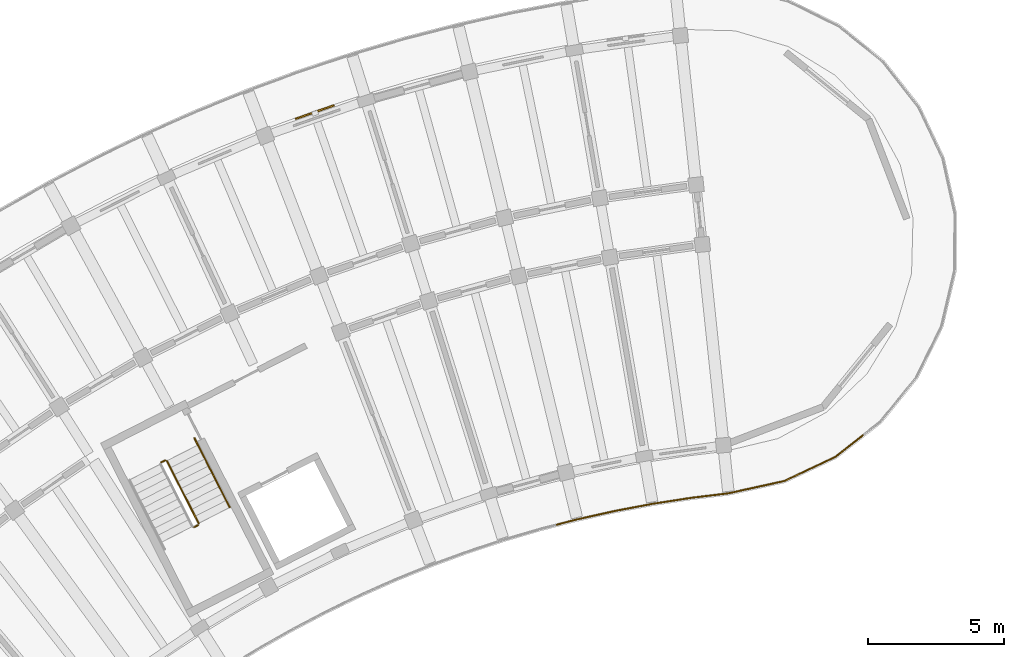
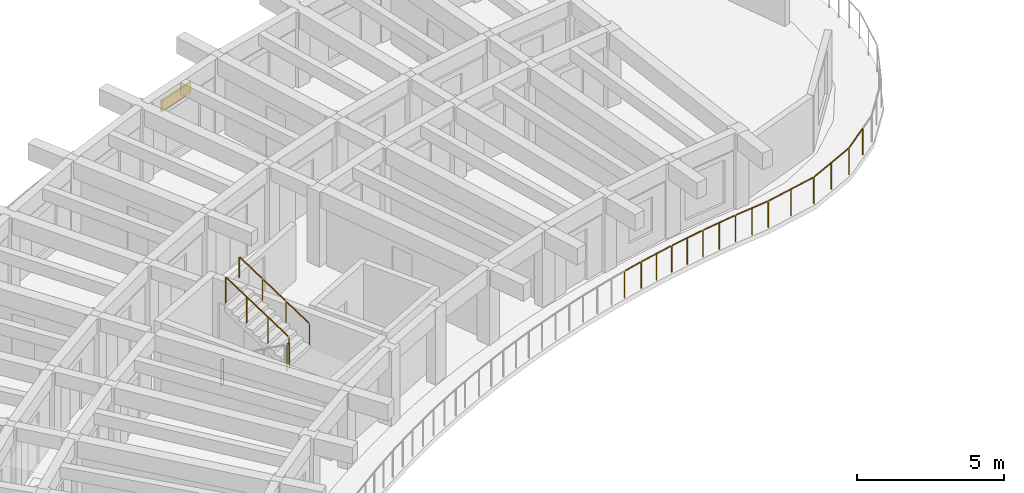
# One storey, part 59 of 69: 8 railings, 1 shading device.
"""IFC4 building model written with IfcOpenShell, lengths in metres."""

from ifc_helpers import new_model, si_unit, direction, frame, origin, origin_2d, place, context, subcontext, project, spatial, rectangle, circle, extrude, material, layer, layer_set, type_object, element, save


model = new_model("IFC4")

# Units and contexts
model_context = context("Model", 3, precision=1e-05, world=origin(), true_north=direction((0.0, 1.0)))
body_context = subcontext(model_context, "Body", "Model", "MODEL_VIEW")
ifc_project = project(units=[si_unit("LENGTHUNIT", "METRE"), si_unit("AREAUNIT", "SQUARE_METRE"), si_unit("VOLUMEUNIT", "CUBIC_METRE"), si_unit("PLANEANGLEUNIT", "RADIAN"), si_unit("MASSUNIT", "GRAM", prefix="KILO")], contexts=[model_context])

# Site, building, storey
site_placement = place(None, origin())
site = spatial("IfcSite", under=ifc_project, at=site_placement, CompositionType="ELEMENT")
building_placement = place(site_placement, origin())
building = spatial("IfcBuilding", under=site, at=building_placement, Name="Tanwirah Colonnade Gardens", CompositionType="ELEMENT")
storey_placement = place(building_placement, frame((0.0, 0.0, 15.56005859375)))
storey = spatial("IfcBuildingStorey", under=building, at=storey_placement, Name="L04", CompositionType="ELEMENT", Elevation=15.56005859375)

# Railings
ifc_material_1 = material(Name="Precast concrete C40/50", Category="concrete")
railing_type_1 = type_object("IfcRailingType", Name="BAL-EXT112", PredefinedType="BALUSTRADE", material=ifc_material_1)
railing_1_placement = place(storey_placement, frame((62.57666015625, 103.095947265625, 0.0)))
element("IfcRailing", 1, at=railing_1_placement, inside=storey, type_object=railing_type_1, Name="Block A L04 Balcony Ribbon Balustrade 1", PredefinedType="BALUSTRADE", context=body_context, shape_type="SweptSolid", body=[
    extrude(circle(Radius=0.02392578125, at=origin_2d()), frame((-0.030517578125, -0.0068359375, 1.09619140625), z_axis=(-0.976545428659, -0.215311462222, 0.0), x_axis=(0.215311462222, -0.976545428659, 0.0)), (0.0, 0.0, 1.0), 2.029541015625),
    extrude(circle(Radius=0.02392578125, at=origin_2d()), frame((-2.073974609375, -0.4541015625, 1.09619140625), z_axis=(-0.99267751715, -0.120794647829, 0.0), x_axis=(0.120794647829, -0.99267751715, 0.0)), (0.0, 0.0, 1.0), 1.338134765625),
    extrude(circle(Radius=0.02392578125, at=origin_2d()), frame((-3.466796875, -0.625, 1.09619140625), z_axis=(-0.988147546762, -0.153507087226, 0.0), x_axis=(0.153507087226, -0.988147546762, 0.0)), (0.0, 0.0, 1.0), 1.341796875),
    extrude(circle(Radius=0.02392578125, at=origin_2d()), frame((-4.85693359375, -0.842041015625, 1.09619140625), z_axis=(-0.982547926195, -0.186009603862, 0.0), x_axis=(0.186009603862, -0.982547926195, 0.0)), (0.0, 0.0, 1.0), 1.341796875),
    extrude(circle(Radius=0.02392578125, at=origin_2d()), frame((-6.239013671875, -1.104736328125, 1.09619140625), z_axis=(-0.975875211082, -0.218329046156, 0.0), x_axis=(0.218329046156, -0.975875211082, 0.0)), (0.0, 0.0, 1.0), 1.342041015625),
    extrude(circle(Radius=0.02392578125, at=origin_2d()), frame((-7.61181640625, -1.4130859375, 1.09619140625), z_axis=(-0.968150815957, -0.25036772468, 0.0), x_axis=(0.25036772468, -0.968150815957, 0.0)), (0.0, 0.0, 1.0), 0.721435546875),
    extrude(circle(Radius=0.02099609375, at=origin_2d()), origin(), (0.0, 0.0, 1.0), 1.069091796875),
    extrude(circle(Radius=0.02099609375, at=origin_2d()), frame((-1.021484375, -0.22509765625, 0.0)), (0.0, 0.0, 1.0), 1.069091796875),
    extrude(circle(Radius=0.02099609375, at=origin_2d()), frame((-2.04296875, -0.450439453125, 0.0)), (0.0, 0.0, 1.0), 1.069091796875),
    extrude(circle(Radius=0.02099609375, at=origin_2d()), frame((-2.73828125, -0.53515625, 0.0)), (0.0, 0.0, 1.0), 1.069091796875),
    extrude(circle(Radius=0.02099609375, at=origin_2d()), frame((-3.433349609375, -0.61962890625, 0.0)), (0.0, 0.0, 1.0), 1.069091796875),
    extrude(circle(Radius=0.02099609375, at=origin_2d()), frame((-4.129638671875, -0.72802734375, 0.0)), (0.0, 0.0, 1.0), 1.069091796875),
    extrude(circle(Radius=0.02099609375, at=origin_2d()), frame((-4.823486328125, -0.835693359375, 0.0)), (0.0, 0.0, 1.0), 1.069091796875),
    extrude(circle(Radius=0.02099609375, at=origin_2d()), frame((-5.51611328125, -0.966796875, 0.0)), (0.0, 0.0, 1.0), 1.069091796875),
    extrude(circle(Radius=0.02099609375, at=origin_2d()), frame((-6.2060546875, -1.097412109375, 0.0)), (0.0, 0.0, 1.0), 1.069091796875),
    extrude(circle(Radius=0.02099609375, at=origin_2d()), frame((-6.893798828125, -1.251220703125, 0.0)), (0.0, 0.0, 1.0), 1.069091796875),
    extrude(circle(Radius=0.02099609375, at=origin_2d()), frame((-7.5791015625, -1.404541015625, 0.0)), (0.0, 0.0, 1.0), 1.069091796875),
    extrude(circle(Radius=0.02099609375, at=origin_2d()), frame((-8.340576171875, -1.6015625, 0.0)), (0.0, 0.0, 1.0), 1.069091796875),
])
railing_2_placement = place(storey_placement, frame((65.462890625, 104.77197265625, 0.0)))
element("IfcRailing", 2, at=railing_2_placement, inside=storey, type_object=railing_type_1, Name="Block A L04 Balcony Ribbon Balustrade 22", PredefinedType="BALUSTRADE", context=body_context, shape_type="SweptSolid", body=[
    extrude(circle(Radius=0.02392578125, at=origin_2d()), frame((-0.024658203125, -0.019287109375, 1.09619140625), z_axis=(-0.786498338908, -0.617592392194, 0.0), x_axis=(0.617592392194, -0.786498338908, 0.0)), (0.0, 0.0, 1.0), 1.2080078125),
    extrude(circle(Radius=0.02392578125, at=origin_2d()), frame((-1.027587890625, -0.798095703125, 1.09619140625), z_axis=(-0.904194685142, -0.427120558346, 0.0), x_axis=(0.427120558346, -0.904194685142, 0.0)), (0.0, 0.0, 1.0), 2.0244140625),
    extrude(circle(Radius=0.02099609375, at=origin_2d()), origin(), (0.0, 0.0, 1.0), 1.069091796875),
    extrude(circle(Radius=0.02099609375, at=origin_2d()), frame((-0.999267578125, -0.78466796875, 0.0)), (0.0, 0.0, 1.0), 1.069091796875),
    extrude(circle(Radius=0.02099609375, at=origin_2d()), frame((-1.94287109375, -1.23046875, 0.0)), (0.0, 0.0, 1.0), 1.069091796875),
    extrude(circle(Radius=0.02099609375, at=origin_2d()), frame((-2.88623046875, -1.676025390625, 0.0)), (0.0, 0.0, 1.0), 1.069091796875),
])
ifc_material_2 = material(Name="Powder-coated galvanized steel", Category="steel")
railing_type_2 = type_object("IfcRailingType", Name="GRD-ST110", PredefinedType="GUARDRAIL", material=ifc_material_2)
railing_3_placement = place(storey_placement, frame((40.95068359375, 101.408203125, 1.679931640625)))
element("IfcRailing", 3, at=railing_3_placement, inside=storey, type_object=railing_type_2, Name="L04 ST-A1 stair guard 2", PredefinedType="GUARDRAIL", context=body_context, shape_type="SweptSolid", body=[
    extrude(circle(Radius=0.02392578125, at=origin_2d()), frame((0.02783203125, 0.01416015625, 1.076171875), z_axis=(0.89073666619, 0.4545197372, 0.0), x_axis=(-0.4545197372, 0.89073666619, 0.0)), (0.0, 0.0, 1.0), 0.09765625),
    extrude(circle(Radius=0.02099609375, at=origin_2d()), origin(), (0.0, 0.0, 1.0), 1.049072265625),
    extrude(circle(Radius=0.02099609375, at=origin_2d()), frame((0.142578125, 0.07275390625, 0.0)), (0.0, 0.0, 1.0), 1.049072265625),
])
railing_4_placement = place(storey_placement, frame((41.114990234375, 101.548095703125, 1.847900390625)))
element("IfcRailing", 4, at=railing_4_placement, inside=storey, type_object=railing_type_2, Name="L04 ST-A1 stair guard 3", PredefinedType="GUARDRAIL", context=body_context, shape_type="SweptSolid", body=[
    extrude(circle(Radius=0.02392578125, at=origin_2d()), frame((-0.01220703125, 0.02392578125, 1.092041015625), z_axis=(-0.3911222872, 0.767567239095, 0.507803003067), x_axis=(-0.890993730975, -0.45401560696, 0.0)), (0.0, 0.0, 1.0), 2.9150390625),
    extrude(circle(Radius=0.02099609375, at=origin_2d()), origin(), (0.0, 0.0, 1.0), 1.049072265625),
    extrude(circle(Radius=0.02099609375, at=origin_2d()), frame((-0.38818359375, 0.76171875, 0.50390625)), (0.0, 0.0, 1.0), 1.049072265625),
    extrude(circle(Radius=0.02099609375, at=origin_2d()), frame((-0.7763671875, 1.523681640625, 1.008056640625)), (0.0, 0.0, 1.0), 1.049072265625),
    extrude(circle(Radius=0.02099609375, at=origin_2d()), frame((-1.16455078125, 2.285400390625, 1.511962890625)), (0.0, 0.0, 1.0), 1.049072265625),
])
railing_5_placement = place(storey_placement, frame((39.74072265625, 103.78271484375, 0.0)))
element("IfcRailing", 5, at=railing_5_placement, inside=storey, type_object=railing_type_2, Name="L04 ST-A1 stair guard 4", PredefinedType="GUARDRAIL", context=body_context, shape_type="SweptSolid", body=[
    extrude(circle(Radius=0.02392578125, at=origin_2d()), frame((0.02783203125, 0.01416015625, 1.076171875), z_axis=(0.89073666619, 0.4545197372, 0.0), x_axis=(-0.4545197372, 0.89073666619, 0.0)), (0.0, 0.0, 1.0), 0.09765625),
    extrude(circle(Radius=0.02099609375, at=origin_2d()), origin(), (0.0, 0.0, 1.0), 1.049072265625),
    extrude(circle(Radius=0.02099609375, at=origin_2d()), frame((0.142578125, 0.07275390625, 0.0)), (0.0, 0.0, 1.0), 1.049072265625),
])
ifc_material_3 = material(Name="Brushed bronze stainless steel", Category="steel")
railing_type_3 = type_object("IfcRailingType", Name="HR-ST090", PredefinedType="HANDRAIL", material=ifc_material_3)
railing_6_placement = place(storey_placement, frame((42.255615234375, 102.129150390625, 1.847900390625)))
element("IfcRailing", 6, at=railing_6_placement, inside=storey, type_object=railing_type_3, Name="L04 ST-A1 stair handrail 4", PredefinedType="HANDRAIL", context=body_context, shape_type="SweptSolid", body=[
    extrude(circle(Radius=0.02392578125, at=origin_2d()), frame((-0.01220703125, 0.02392578125, 0.891845703125), z_axis=(-0.390073458003, 0.765356354779, 0.511930022133), x_axis=(-0.890957114254, -0.454087459154, 0.0)), (0.0, 0.0, 1.0), 1.04345703125),
    extrude(circle(Radius=0.02099609375, at=origin_2d()), origin(), (0.0, 0.0, 1.0), 0.848876953125),
    extrude(circle(Radius=0.02099609375, at=origin_2d()), frame((-0.431396484375, 0.846435546875, 0.566162109375)), (0.0, 0.0, 1.0), 0.848876953125),
])
railing_7_placement = place(storey_placement, frame((41.82421875, 102.9755859375, 2.4140625)))
element("IfcRailing", 7, at=railing_7_placement, inside=storey, type_object=railing_type_3, Name="L04 ST-A1 stair handrail 5", PredefinedType="HANDRAIL", context=body_context, shape_type="SweptSolid", body=[
    extrude(circle(Radius=0.02392578125, at=origin_2d()), frame((-0.01220703125, 0.02392578125, 0.891845703125), z_axis=(-0.390051618152, 0.765534245474, 0.511680617361), x_axis=(-0.891010084603, -0.453983511965, 0.0)), (0.0, 0.0, 1.0), 1.04345703125),
    extrude(circle(Radius=0.02099609375, at=origin_2d()), origin(), (0.0, 0.0, 1.0), 0.848876953125),
    extrude(circle(Radius=0.02099609375, at=origin_2d()), frame((-0.431396484375, 0.8466796875, 0.56591796875)), (0.0, 0.0, 1.0), 0.848876953125),
])
railing_8_placement = place(storey_placement, frame((41.392822265625, 103.822265625, 2.97998046875)))
element("IfcRailing", 8, at=railing_8_placement, inside=storey, type_object=railing_type_3, Name="L04 ST-A1 stair handrail 6", PredefinedType="HANDRAIL", context=body_context, shape_type="SweptSolid", body=[
    extrude(circle(Radius=0.02392578125, at=origin_2d()), frame((-0.01220703125, 0.02392578125, 0.891845703125), z_axis=(-0.38993033558, 0.765508761867, 0.511811165275), x_axis=(-0.891061070925, -0.453883429839, 0.0)), (0.0, 0.0, 1.0), 1.043212890625),
    extrude(circle(Radius=0.02099609375, at=origin_2d()), origin(), (0.0, 0.0, 1.0), 0.848876953125),
    extrude(circle(Radius=0.02099609375, at=origin_2d()), frame((-0.43115234375, 0.846435546875, 0.56591796875)), (0.0, 0.0, 1.0), 0.848876953125),
])

# Shading device
ifc_material_4 = material(Name="Perforated architectural bronze aluminium", Category="aluminium")
ifc_layer = layer(ifc_material_4, 0.050048828125)
ifc_layer_set = layer_set([ifc_layer], Name="Perforated architectural bronze aluminium")
shading_device_type = type_object("IfcShadingDeviceType", Name="SHD-OVH1", PredefinedType="SHUTTER", material=ifc_layer_set)
shading_device_placement = place(storey_placement, frame((45.373291015625, 116.618896484375, 2.03515625), z_axis=(0.0, 0.0, 1.0), x_axis=(-0.944248569489, -0.329233411151, 0.0)))
element("IfcShadingDevice", 9, at=shading_device_placement, inside=storey, type_object=shading_device_type, Name="Solar shading louver hood A-L04-03", PredefinedType="SHUTTER", context=body_context, shape_type="SweptSolid", body=[
    extrude(rectangle(XDim=1.5, YDim=0.06005859375, at=origin_2d()), origin(), (0.0, 0.0, 1.0), 0.449951171875),
])

save(model, "model.ifc")
